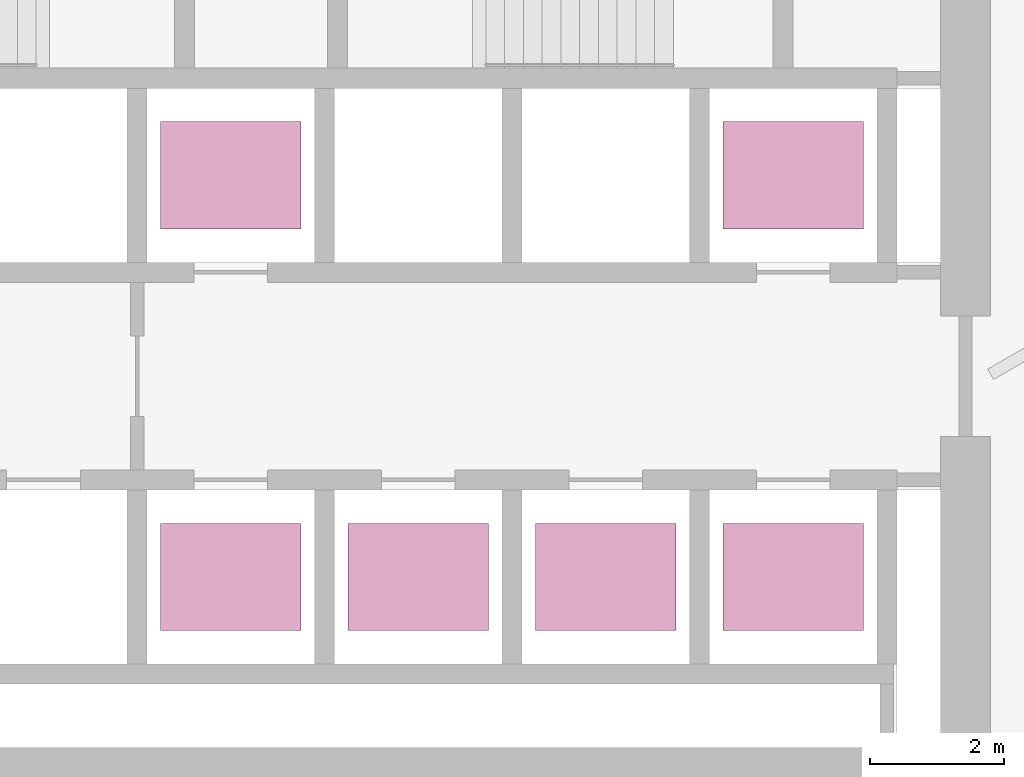
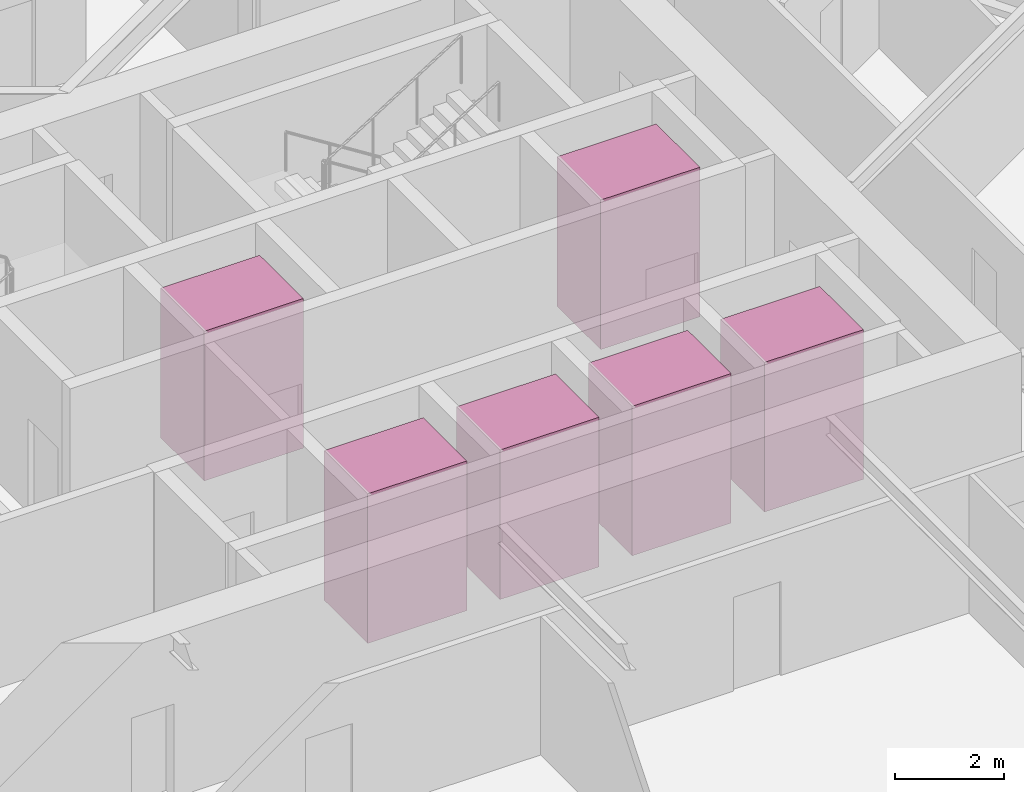
# One storey, part 23 of 24: 6 transport elements.
"""IFC4 building model written with IfcOpenShell, lengths in metres."""

from ifc_helpers import new_model, si_unit, direction, frame, origin, origin_2d, place, context, subcontext, project, spatial, rectangle, extrude, material, type_object, element, save


model = new_model("IFC4")

# Units and contexts
model_context = context("Model", 3, precision=1e-05, world=origin(), true_north=direction((0.0, 1.0)))
body_context = subcontext(model_context, "Body", "Model", "MODEL_VIEW")
ifc_project = project(units=[si_unit("LENGTHUNIT", "METRE"), si_unit("AREAUNIT", "SQUARE_METRE"), si_unit("VOLUMEUNIT", "CUBIC_METRE"), si_unit("PLANEANGLEUNIT", "RADIAN"), si_unit("MASSUNIT", "GRAM", prefix="KILO")], contexts=[model_context])

# Site, building, storey
site_placement = place(None, origin())
site = spatial("IfcSite", under=ifc_project, at=site_placement, CompositionType="ELEMENT")
building_placement = place(site_placement, origin())
building = spatial("IfcBuilding", under=site, at=building_placement, Name="Firuza Gate Tower and Library", CompositionType="ELEMENT")
storey_placement = place(building_placement, frame((0.0, 0.0, 194.800048828125)))
storey = spatial("IfcBuildingStorey", under=building, at=storey_placement, Name="L45", CompositionType="ELEMENT", Elevation=194.800048828125)

# Transport elements
ifc_material = material(Name="Stainless steel and glass", Category="steel")
transport_element_type = type_object("IfcTransportElementType", Name="Mid-rise lift car 2100x1600", PredefinedType="ELEVATOR", material=ifc_material)
for number, where, z_axis, x_axis, name in (
    (1, (74.64990234375, 70.300048828125, 0.0), (0.0, 0.0, 1.0), (1.0, 0.0, 0.0), "Mid-rise lift MR1"),
    (2, (77.449951171875, 70.300048828125, 0.0), (0.0, 0.0, 1.0), (1.0, 0.0, 0.0), "Mid-rise lift MR2"),
    (3, (80.25, 70.300048828125, 0.0), (0.0, 0.0, 1.0), (1.0, 0.0, 0.0), "Mid-rise lift MR3"),
    (4, (74.64990234375, 76.300048828125, 0.0), (0.0, 0.0, 1.0), (1.0, 0.0, 0.0), "Mid-rise lift MR4"),
    (5, (83.050048828125, 70.300048828125, 0.0), (0.0, 0.0, 1.0), (1.0, 0.0, 0.0), "Mid-rise lift MR5"),
    (6, (83.050048828125, 76.300048828125, 0.0), (0.0, 0.0, 1.0), (1.0, 0.0, 0.0), "Mid-rise lift MR6"),
):
    element("IfcTransportElement", number, at=place(storey_placement, frame(where, z_axis=z_axis, x_axis=x_axis)), inside=storey, type_object=transport_element_type, Name=name, PredefinedType="ELEVATOR", context=body_context, shape_type="SweptSolid", body=[
        extrude(rectangle(XDim=2.10009765625, YDim=1.60009765625, at=origin_2d()), origin(), (0.0, 0.0, 1.0), 3.35009765625),
    ])

save(model, "model.ifc")
